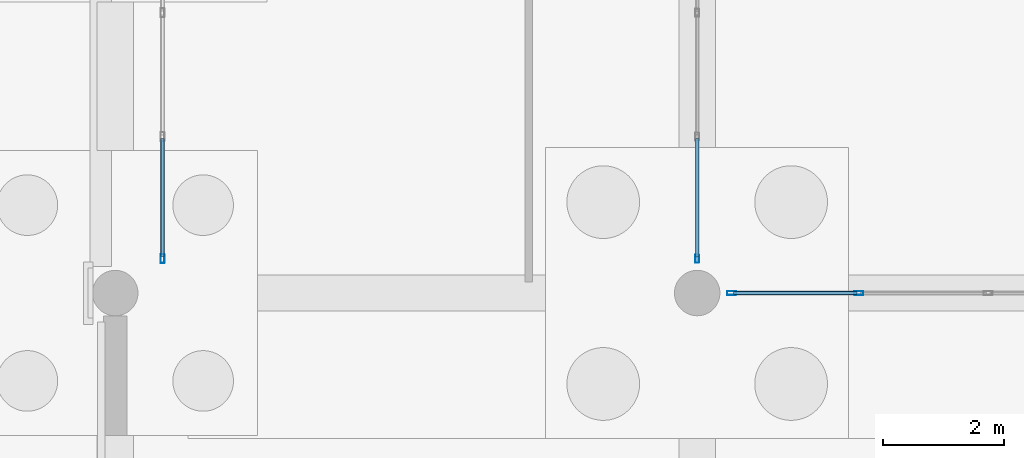
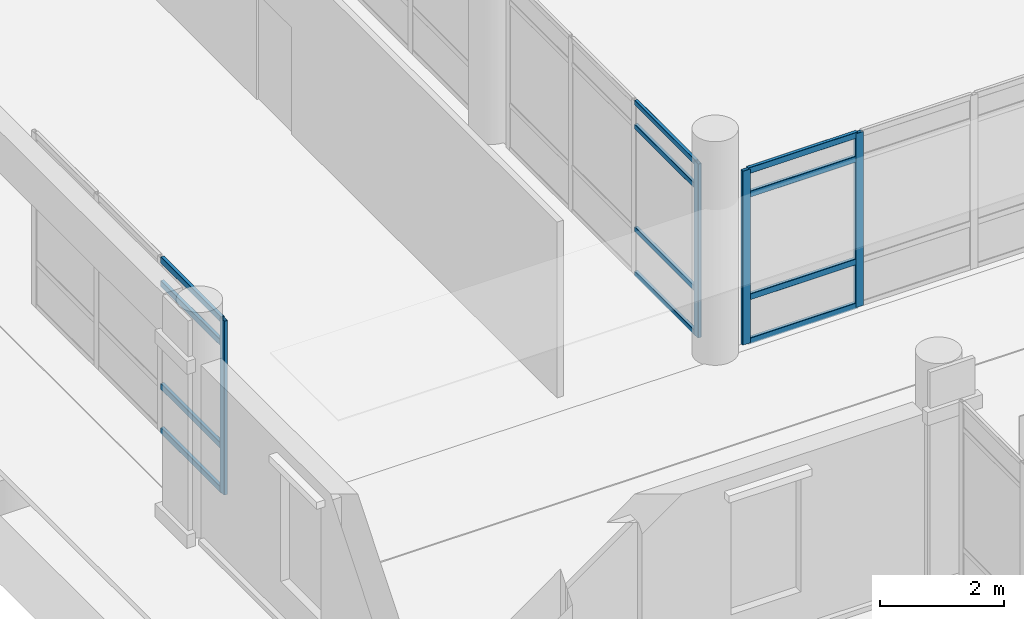
# One storey, part 86 of 196: 16 members, 3 elements without a shape of their own.
"""IFC4 building model written with IfcOpenShell, lengths in metres."""

from ifc_helpers import new_model, si_unit, direction, frame, origin, origin_2d, place, context, subcontext, project, spatial, hollow_rectangle, extrude, material, layer, layer_set, material_profile, profile_set, type_object, element, aggregate, save


model = new_model("IFC4")

# Units and contexts
model_context = context("Model", 3, precision=1e-05, world=origin(), true_north=direction((0.0, 1.0)))
body_context = subcontext(model_context, "Body", "Model", "MODEL_VIEW")
ifc_project = project(units=[si_unit("LENGTHUNIT", "METRE"), si_unit("AREAUNIT", "SQUARE_METRE"), si_unit("VOLUMEUNIT", "CUBIC_METRE"), si_unit("PLANEANGLEUNIT", "RADIAN"), si_unit("MASSUNIT", "GRAM", prefix="KILO")], contexts=[model_context])

# Site, building, storey
site_placement = place(None, origin())
site = spatial("IfcSite", under=ifc_project, at=site_placement, CompositionType="ELEMENT")
building_placement = place(site_placement, origin())
building = spatial("IfcBuilding", under=site, at=building_placement, Name="Asteropetra Specialist Clinic", CompositionType="ELEMENT")
storey_placement = place(building_placement, origin())
storey = spatial("IfcBuildingStorey", under=building, at=storey_placement, Name="L00", CompositionType="ELEMENT", Elevation=0.0)

# Curtain wall, member
ifc_material_1 = material(Name="Aluminium and low-E glass", Category="aluminium")
ifc_layer_1 = layer(ifc_material_1, 0.179931640625)
ifc_layer_set_1 = layer_set([ifc_layer_1], Name="Aluminium and low-E glass")
curtain_wall_type_1 = type_object("IfcCurtainWallType", Name="CW-SYS-04", PredefinedType="USERDEFINED", material=ifc_layer_set_1)
curtain_wall_1_placement = place(storey_placement, origin())
curtain_wall_1 = element("IfcCurtainWall", 1, at=curtain_wall_1_placement, inside=storey, type_object=curtain_wall_type_1, Name="Curtain Wall CW-005", ObjectType="UNITISED CURTAIN WALL", PredefinedType="USERDEFINED")
ifc_material_2 = material(Name="Aluminium 6063-T6", Category="aluminium")
ifc_material_profile_1 = material_profile(ifc_material_2, hollow_rectangle(XDim=0.06005859375, YDim=0.135009765625, WallThickness=0.00341796875, InnerFilletRadius=0.00341796875, OuterFilletRadius=0.007080078125, at=origin_2d()), Name="MUL 135x60x3.5")
ifc_profile_set_1 = profile_set([ifc_material_profile_1], Name="Aluminium 6063-T6")
member_type_1 = type_object("IfcMemberType", Name="CWM-135x60", PredefinedType="MULLION", material=ifc_profile_set_1)
member_1_placement = place(storey_placement, frame((9.60009765625, 77.364990234375, 0.0), z_axis=(0.0, 0.0, 1.0), x_axis=(1.0, 0.0, 0.0)))
member_1 = element("IfcMember", 2, at=member_1_placement, type_object=member_type_1, Name="CW-005 mullion 4", PredefinedType="MULLION", context=body_context, shape_type="SweptSolid", body=[
    extrude(hollow_rectangle(XDim=0.06005859375, YDim=0.135009765625, WallThickness=0.00341796875, InnerFilletRadius=0.00341796875, OuterFilletRadius=0.007080078125, at=origin_2d()), origin(), (0.0, 0.0, 1.0), 3.419921875),
])

# Curtain wall, members
ifc_material_3 = material(Name="Aluminium and low-E glass", Category="aluminium")
ifc_layer_2 = layer(ifc_material_3, 0.14990234375)
ifc_layer_set_2 = layer_set([ifc_layer_2], Name="Aluminium and low-E glass")
curtain_wall_type_2 = type_object("IfcCurtainWallType", Name="CW-SYS-02", PredefinedType="USERDEFINED", material=ifc_layer_set_2)
curtain_wall_2_placement = place(storey_placement, origin())
curtain_wall_2 = element("IfcCurtainWall", 3, at=curtain_wall_2_placement, inside=storey, type_object=curtain_wall_type_2, Name="Curtain Wall CW-001", ObjectType="UNITISED CURTAIN WALL", PredefinedType="USERDEFINED")
ifc_material_4 = material(Name="Aluminium 6063-T6", Category="aluminium")
ifc_material_profile_2 = material_profile(ifc_material_4, hollow_rectangle(XDim=0.06494140625, YDim=0.14990234375, WallThickness=0.00390625, InnerFilletRadius=0.00390625, OuterFilletRadius=0.008056640625, at=origin_2d()), Name="MUL 150x65x4.0")
ifc_profile_set_2 = profile_set([ifc_material_profile_2], Name="Aluminium 6063-T6")
member_type_2 = type_object("IfcMemberType", Name="CWM-150x65", PredefinedType="MULLION", material=ifc_profile_set_2)
member_2_placement = place(storey_placement, frame((10.16748046875, 76.800048828125, 0.0), z_axis=(0.0, 0.0, 1.0), x_axis=(0.0, 1.0, 0.0)))
member_2 = element("IfcMember", 4, at=member_2_placement, type_object=member_type_2, Name="CW-001 mullion 1", PredefinedType="MULLION", context=body_context, shape_type="SweptSolid", body=[
    extrude(hollow_rectangle(XDim=0.06494140625, YDim=0.14990234375, WallThickness=0.00390625, InnerFilletRadius=0.00390625, OuterFilletRadius=0.008056640625, at=origin_2d()), origin(), (0.0, 0.0, 1.0), 3.419921875),
])
member_3_placement = place(storey_placement, frame((12.267578125, 76.800048828125, 0.0), z_axis=(0.0, 0.0, 1.0), x_axis=(0.0, 1.0, 0.0)))
member_3 = element("IfcMember", 5, at=member_3_placement, type_object=member_type_2, Name="CW-001 mullion 2", PredefinedType="MULLION", context=body_context, shape_type="SweptSolid", body=[
    extrude(hollow_rectangle(XDim=0.06494140625, YDim=0.14990234375, WallThickness=0.00390625, InnerFilletRadius=0.00390625, OuterFilletRadius=0.008056640625, at=origin_2d()), origin(), (0.0, 0.0, 1.0), 3.419921875),
])

# Curtain wall, member
ifc_material_5 = material(Name="Aluminium and low-E glass", Category="aluminium")
ifc_layer_3 = layer(ifc_material_5, 0.179931640625)
ifc_layer_set_3 = layer_set([ifc_layer_3], Name="Aluminium and low-E glass")
curtain_wall_type_3 = type_object("IfcCurtainWallType", Name="CW-SYS-10", PredefinedType="USERDEFINED", material=ifc_layer_set_3)
curtain_wall_3_placement = place(storey_placement, origin())
curtain_wall_3 = element("IfcCurtainWall", 6, at=curtain_wall_3_placement, inside=storey, type_object=curtain_wall_type_3, Name="Curtain Wall CW-187", ObjectType="STICK GLAZED COLONNADE", PredefinedType="USERDEFINED")
member_4_placement = place(storey_placement, frame((0.780029296875, 77.367431640625, 0.0), z_axis=(0.0, 0.0, 1.0), x_axis=(1.0, 0.0, 0.0)))
member_4 = element("IfcMember", 7, at=member_4_placement, type_object=member_type_2, Name="CW-187 mullion 4", PredefinedType="MULLION", context=body_context, shape_type="SweptSolid", body=[
    extrude(hollow_rectangle(XDim=0.06494140625, YDim=0.14990234375, WallThickness=0.00390625, InnerFilletRadius=0.00390625, OuterFilletRadius=0.008056640625, at=origin_2d()), origin(), (0.0, 0.0, 1.0), 3.419921875),
])

# Member
ifc_material_6 = material(Name="Aluminium 6063-T6", Category="aluminium")
ifc_material_profile_3 = material_profile(ifc_material_6, hollow_rectangle(XDim=0.06005859375, YDim=0.10009765625, WallThickness=0.00341796875, InnerFilletRadius=0.00341796875, OuterFilletRadius=0.007080078125, at=origin_2d()), Name="TRN 100x60x3.5")
ifc_profile_set_3 = profile_set([ifc_material_profile_3], Name="Aluminium 6063-T6")
member_type_3 = type_object("IfcMemberType", Name="CWT-100x60", PredefinedType="USERDEFINED", material=ifc_profile_set_3)
member_5_placement = place(storey_placement, frame((9.60009765625, 79.348388671875, 0.030029296875), z_axis=(0.0, -1.0, 0.0), x_axis=(1.0, 0.0, 0.0)))
member_5 = element("IfcMember", 8, at=member_5_placement, type_object=member_type_3, Name="CW-005 transom 3.1", ObjectType="TRANSOM", PredefinedType="USERDEFINED", context=body_context, shape_type="SweptSolid", body=[
    extrude(hollow_rectangle(XDim=0.06005859375, YDim=0.10009765625, WallThickness=0.00341796875, InnerFilletRadius=0.00341796875, OuterFilletRadius=0.007080078125, at=origin_2d()), origin(), (0.0, 0.0, 1.0), 1.953369140625),
])

member_6_placement = place(storey_placement, frame((9.60009765625, 79.348388671875, 0.89990234375), z_axis=(0.0, -1.0, 0.0), x_axis=(1.0, 0.0, 0.0)))
member_6 = element("IfcMember", 9, at=member_6_placement, type_object=member_type_3, Name="CW-005 transom 3.2", ObjectType="TRANSOM", PredefinedType="USERDEFINED", context=body_context, shape_type="SweptSolid", body=[
    extrude(hollow_rectangle(XDim=0.06005859375, YDim=0.10009765625, WallThickness=0.00341796875, InnerFilletRadius=0.00341796875, OuterFilletRadius=0.007080078125, at=origin_2d()), origin(), (0.0, 0.0, 1.0), 1.953369140625),
])

member_7_placement = place(storey_placement, frame((9.60009765625, 79.348388671875, 2.919921875), z_axis=(0.0, -1.0, 0.0), x_axis=(1.0, 0.0, 0.0)))
member_7 = element("IfcMember", 10, at=member_7_placement, type_object=member_type_3, Name="CW-005 transom 3.3", ObjectType="TRANSOM", PredefinedType="USERDEFINED", context=body_context, shape_type="SweptSolid", body=[
    extrude(hollow_rectangle(XDim=0.06005859375, YDim=0.10009765625, WallThickness=0.00341796875, InnerFilletRadius=0.00341796875, OuterFilletRadius=0.007080078125, at=origin_2d()), origin(), (0.0, 0.0, 1.0), 1.953369140625),
])

member_8_placement = place(storey_placement, frame((9.60009765625, 79.348388671875, 3.389892578125), z_axis=(0.0, -1.0, 0.0), x_axis=(1.0, 0.0, 0.0)))
member_8 = element("IfcMember", 11, at=member_8_placement, type_object=member_type_3, Name="CW-005 transom 3.4", ObjectType="TRANSOM", PredefinedType="USERDEFINED", context=body_context, shape_type="SweptSolid", body=[
    extrude(hollow_rectangle(XDim=0.06005859375, YDim=0.10009765625, WallThickness=0.00341796875, InnerFilletRadius=0.00341796875, OuterFilletRadius=0.007080078125, at=origin_2d()), origin(), (0.0, 0.0, 1.0), 1.953369140625),
])

aggregate(curtain_wall_1, [member_1, member_5, member_6, member_7, member_8])

ifc_material_7 = material(Name="Aluminium 6063-T6", Category="aluminium")
ifc_material_profile_4 = material_profile(ifc_material_7, hollow_rectangle(XDim=0.06494140625, YDim=0.1201171875, WallThickness=0.00390625, InnerFilletRadius=0.00390625, OuterFilletRadius=0.008056640625, at=origin_2d()), Name="TRN 120x65x4.0")
ifc_profile_set_4 = profile_set([ifc_material_profile_4], Name="Aluminium 6063-T6")
member_type_4 = type_object("IfcMemberType", Name="CWT-120x65", PredefinedType="USERDEFINED", material=ifc_profile_set_4)
member_9_placement = place(storey_placement, frame((10.199951171875, 76.800048828125, 0.032470703125), z_axis=(1.0, 0.0, 0.0), x_axis=(0.0, 1.0, 0.0)))
member_9 = element("IfcMember", 12, at=member_9_placement, type_object=member_type_4, Name="CW-001 transom 1.1", ObjectType="TRANSOM", PredefinedType="USERDEFINED", context=body_context, shape_type="SweptSolid", body=[
    extrude(hollow_rectangle(XDim=0.06494140625, YDim=0.1201171875, WallThickness=0.00390625, InnerFilletRadius=0.00390625, OuterFilletRadius=0.008056640625, at=origin_2d()), origin(), (0.0, 0.0, 1.0), 2.03515625),
])

member_10_placement = place(storey_placement, frame((10.199951171875, 76.800048828125, 0.89990234375), z_axis=(1.0, 0.0, 0.0), x_axis=(0.0, 1.0, 0.0)))
member_10 = element("IfcMember", 13, at=member_10_placement, type_object=member_type_4, Name="CW-001 transom 1.2", ObjectType="TRANSOM", PredefinedType="USERDEFINED", context=body_context, shape_type="SweptSolid", body=[
    extrude(hollow_rectangle(XDim=0.06494140625, YDim=0.1201171875, WallThickness=0.00390625, InnerFilletRadius=0.00390625, OuterFilletRadius=0.008056640625, at=origin_2d()), origin(), (0.0, 0.0, 1.0), 2.03515625),
])

member_11_placement = place(storey_placement, frame((10.199951171875, 76.800048828125, 2.919921875), z_axis=(1.0, 0.0, 0.0), x_axis=(0.0, 1.0, 0.0)))
member_11 = element("IfcMember", 14, at=member_11_placement, type_object=member_type_4, Name="CW-001 transom 1.3", ObjectType="TRANSOM", PredefinedType="USERDEFINED", context=body_context, shape_type="SweptSolid", body=[
    extrude(hollow_rectangle(XDim=0.06494140625, YDim=0.1201171875, WallThickness=0.00390625, InnerFilletRadius=0.00390625, OuterFilletRadius=0.008056640625, at=origin_2d()), origin(), (0.0, 0.0, 1.0), 2.03515625),
])

member_12_placement = place(storey_placement, frame((10.199951171875, 76.800048828125, 3.387451171875), z_axis=(1.0, 0.0, 0.0), x_axis=(0.0, 1.0, 0.0)))
member_12 = element("IfcMember", 15, at=member_12_placement, type_object=member_type_4, Name="CW-001 transom 1.4", ObjectType="TRANSOM", PredefinedType="USERDEFINED", context=body_context, shape_type="SweptSolid", body=[
    extrude(hollow_rectangle(XDim=0.06494140625, YDim=0.1201171875, WallThickness=0.00390625, InnerFilletRadius=0.00390625, OuterFilletRadius=0.008056640625, at=origin_2d()), origin(), (0.0, 0.0, 1.0), 2.03515625),
])

aggregate(curtain_wall_2, [member_2, member_3, member_9, member_10, member_11, member_12])

member_13_placement = place(storey_placement, frame((0.780029296875, 79.345947265625, 0.032470703125), z_axis=(0.0, -1.0, 0.0), x_axis=(1.0, 0.0, 0.0)))
member_13 = element("IfcMember", 16, at=member_13_placement, type_object=member_type_4, Name="CW-187 transom 3.1", ObjectType="TRANSOM", PredefinedType="USERDEFINED", context=body_context, shape_type="SweptSolid", body=[
    extrude(hollow_rectangle(XDim=0.06494140625, YDim=0.1201171875, WallThickness=0.00390625, InnerFilletRadius=0.00390625, OuterFilletRadius=0.008056640625, at=origin_2d()), origin(), (0.0, 0.0, 1.0), 1.946044921875),
])

member_14_placement = place(storey_placement, frame((0.780029296875, 79.345947265625, 0.89990234375), z_axis=(0.0, -1.0, 0.0), x_axis=(1.0, 0.0, 0.0)))
member_14 = element("IfcMember", 17, at=member_14_placement, type_object=member_type_4, Name="CW-187 transom 3.2", ObjectType="TRANSOM", PredefinedType="USERDEFINED", context=body_context, shape_type="SweptSolid", body=[
    extrude(hollow_rectangle(XDim=0.06494140625, YDim=0.1201171875, WallThickness=0.00390625, InnerFilletRadius=0.00390625, OuterFilletRadius=0.008056640625, at=origin_2d()), origin(), (0.0, 0.0, 1.0), 1.946044921875),
])

member_15_placement = place(storey_placement, frame((0.780029296875, 79.345947265625, 2.919921875), z_axis=(0.0, -1.0, 0.0), x_axis=(1.0, 0.0, 0.0)))
member_15 = element("IfcMember", 18, at=member_15_placement, type_object=member_type_4, Name="CW-187 transom 3.3", ObjectType="TRANSOM", PredefinedType="USERDEFINED", context=body_context, shape_type="SweptSolid", body=[
    extrude(hollow_rectangle(XDim=0.06494140625, YDim=0.1201171875, WallThickness=0.00390625, InnerFilletRadius=0.00390625, OuterFilletRadius=0.008056640625, at=origin_2d()), origin(), (0.0, 0.0, 1.0), 1.946044921875),
])

member_16_placement = place(storey_placement, frame((0.780029296875, 79.345947265625, 3.387451171875), z_axis=(0.0, -1.0, 0.0), x_axis=(1.0, 0.0, 0.0)))
member_16 = element("IfcMember", 19, at=member_16_placement, type_object=member_type_4, Name="CW-187 transom 3.4", ObjectType="TRANSOM", PredefinedType="USERDEFINED", context=body_context, shape_type="SweptSolid", body=[
    extrude(hollow_rectangle(XDim=0.06494140625, YDim=0.1201171875, WallThickness=0.00390625, InnerFilletRadius=0.00390625, OuterFilletRadius=0.008056640625, at=origin_2d()), origin(), (0.0, 0.0, 1.0), 1.946044921875),
])

aggregate(curtain_wall_3, [member_4, member_13, member_14, member_15, member_16])

save(model, "model.ifc")
